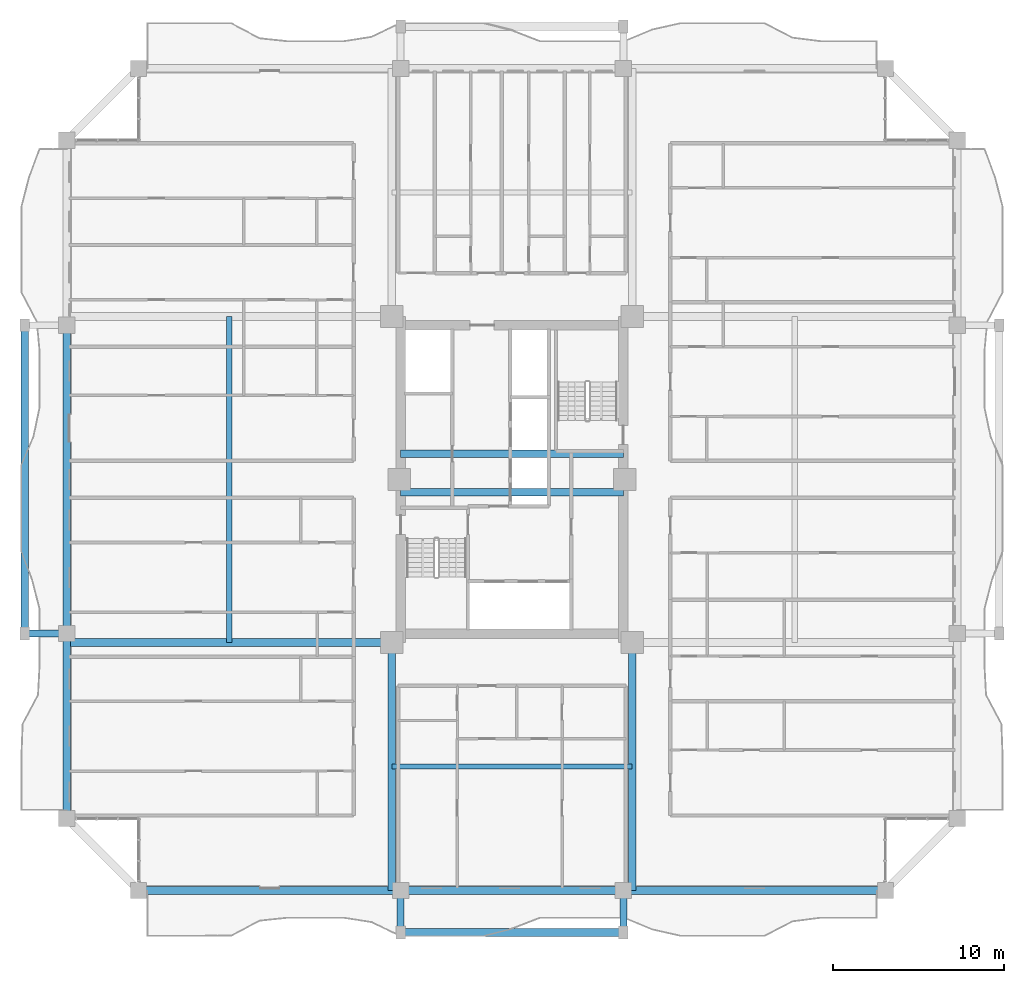
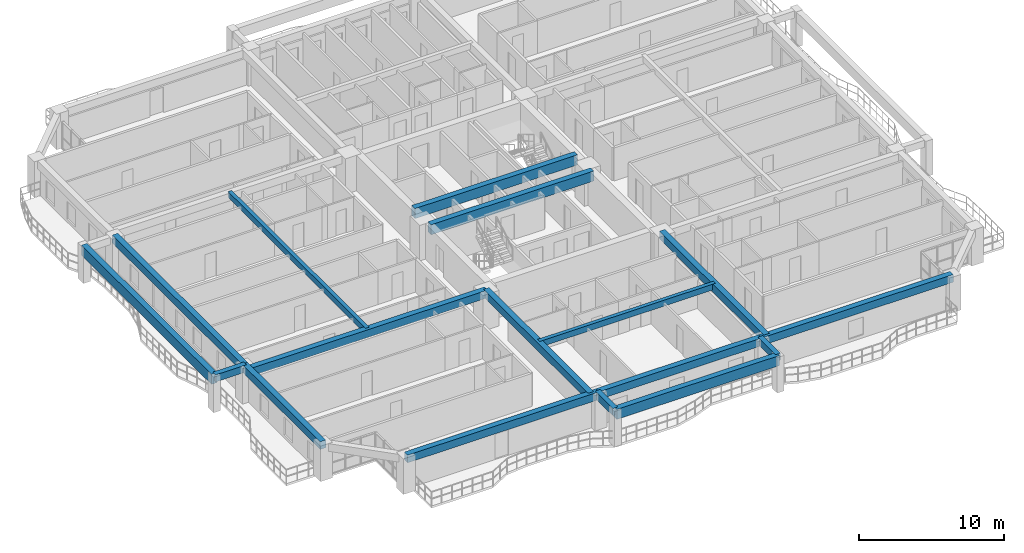
# One storey, part 3 of 26: 17 beams.
"""IFC4 building model written with IfcOpenShell, lengths in metres."""

from ifc_helpers import new_model, si_unit, direction, frame, origin, origin_2d, place, context, subcontext, project, spatial, rectangle, extrude, source, transform, mapped, material, material_profile, profile_set, type_object, element, save


model = new_model("IFC4")

# Units and contexts
model_context = context("Model", 3, precision=1e-05, world=origin(), true_north=direction((0.0, 1.0)))
body_context = subcontext(model_context, "Body", "Model", "MODEL_VIEW")
ifc_project = project(units=[si_unit("LENGTHUNIT", "METRE"), si_unit("AREAUNIT", "SQUARE_METRE"), si_unit("VOLUMEUNIT", "CUBIC_METRE"), si_unit("PLANEANGLEUNIT", "RADIAN"), si_unit("MASSUNIT", "GRAM", prefix="KILO")], contexts=[model_context])

# Site, building, storey
site_placement = place(None, origin())
site = spatial("IfcSite", under=ifc_project, at=site_placement, CompositionType="ELEMENT")
building_placement = place(site_placement, origin())
building = spatial("IfcBuilding", under=site, at=building_placement, Name="Saelheon Loggia Tower", CompositionType="ELEMENT")
storey_placement = place(building_placement, frame((0.0, 0.0, 116.85009765625)))
storey = spatial("IfcBuildingStorey", under=building, at=storey_placement, Name="L37", CompositionType="ELEMENT", Elevation=116.85009765625)

# Beams
ifc_material_1 = material(Name="Concrete C50/60", Category="concrete")
ifc_material_profile_1 = material_profile(ifc_material_1, rectangle(XDim=0.449951171875, YDim=0.85009765625, at=origin_2d()), Name="RC-450x850")
ifc_profile_set_1 = profile_set([ifc_material_profile_1], Name="Concrete C50/60")
beam_type_1 = type_object("IfcBeamType", Name="Beam_CoreLintel_RC450x850", PredefinedType="LINTEL", material=ifc_profile_set_1)
shared_shape_1 = source(origin(), body_context, "Body", "SweptSolid", [
    extrude(rectangle(XDim=0.449951171875, YDim=0.85009765625, at=origin_2d()), origin(), (0.0, 0.0, 1.0), 13.0),
])
for number, where, z_axis, x_axis, name in (
    (1, (31.5, 26.25, 2.574951171875), (1.0, 0.0, 0.0), (0.0, 1.0, 0.0), "L37 Core Coupling Lintel 1"),
    (2, (31.5, 28.5, 2.574951171875), (1.0, 0.0, 0.0), (0.0, 1.0, 0.0), "L37 Core Coupling Lintel 2"),
):
    element("IfcBeam", number, at=place(storey_placement, frame(where, z_axis=z_axis, x_axis=x_axis)), inside=storey, type_object=beam_type_1, Name=name, PredefinedType="LINTEL", context=body_context, shape_type="MappedRepresentation", body=[
        mapped(shared_shape_1, transform((0.0, 0.0, 0.0), scale=1.0)),
    ])
ifc_material_2 = material(Name="Precast Concrete C45/55", Category="concrete")
ifc_material_profile_2 = material_profile(ifc_material_2, rectangle(XDim=0.449951171875, YDim=0.85009765625, at=origin_2d()), Name="RC-450x850")
ifc_profile_set_2 = profile_set([ifc_material_profile_2], Name="Precast Concrete C45/55")
beam_type_2 = type_object("IfcBeamType", Name="Beam_LoggiaSpandrel_RC450x850", PredefinedType="SPANDREL", material=ifc_profile_set_2)
beam_1_placement = place(storey_placement, frame((31.5, 0.550048828125, 2.574951171875), z_axis=(1.0, 0.0, 0.0), x_axis=(0.0, 1.0, 0.0)))
element("IfcBeam", 3, at=beam_1_placement, inside=storey, type_object=beam_type_2, Name="L37 Loggia Spandrel Beam S", PredefinedType="SPANDREL", context=body_context, shape_type="MappedRepresentation", body=[
    mapped(shared_shape_1, transform((0.0, 0.0, 0.0), scale=1.0)),
])
ifc_material_profile_3 = material_profile(ifc_material_2, rectangle(XDim=0.39990234375, YDim=0.60009765625, at=origin_2d()), Name="RC-400x600")
ifc_profile_set_3 = profile_set([ifc_material_profile_3], Name="Precast Concrete C45/55")
beam_type_3 = type_object("IfcBeamType", Name="Beam_LoggiaTie_RC400x600", PredefinedType="BEAM", material=ifc_profile_set_3)
shared_shape_2 = source(origin(), body_context, "Body", "SweptSolid", [
    extrude(rectangle(XDim=0.39990234375, YDim=0.60009765625, at=origin_2d()), origin(), (0.0, 0.0, 1.0), 2.449951171875),
])
for number, where, z_axis, x_axis, name in (
    (4, (31.5, 3.0, 2.699951171875), (0.0, -1.0, 0.0), (1.0, 0.0, 0.0), "L37 Loggia Frame Tie Beam LP-S1"),
    (5, (44.5, 3.0, 2.699951171875), (0.0, -1.0, 0.0), (1.0, 0.0, 0.0), "L37 Loggia Frame Tie Beam LP-S2"),
    (6, (12.0, 18.0, 2.699951171875), (-1.0, 0.0, 0.0), (0.0, -1.0, 0.0), "L37 Loggia Frame Tie Beam LP-W1"),
):
    element("IfcBeam", number, at=place(storey_placement, frame(where, z_axis=z_axis, x_axis=x_axis)), inside=storey, type_object=beam_type_3, Name=name, PredefinedType="BEAM", context=body_context, shape_type="MappedRepresentation", body=[
        mapped(shared_shape_2, transform((0.0, 0.0, 0.0), scale=1.0)),
    ])
shared_shape_3 = source(origin(), body_context, "Body", "SweptSolid", [
    extrude(rectangle(XDim=0.449951171875, YDim=0.85009765625, at=origin_2d()), origin(), (0.0, 0.0, 1.0), 18.0),
])
beam_2_placement = place(storey_placement, frame((9.550048828125, 18.0, 2.574951171875), z_axis=(0.0, 1.0, 0.0), x_axis=(-1.0, 0.0, 0.0)))
element("IfcBeam", 7, at=beam_2_placement, inside=storey, type_object=beam_type_2, Name="L37 Loggia Spandrel Beam W", PredefinedType="SPANDREL", context=body_context, shape_type="MappedRepresentation", body=[
    mapped(shared_shape_3, transform((0.0, 0.0, 0.0), scale=1.0)),
])
ifc_material_3 = material(Name="Concrete C40/50", Category="concrete")
ifc_material_profile_4 = material_profile(ifc_material_3, rectangle(XDim=0.449951171875, YDim=0.64990234375, at=origin_2d()), Name="RC-450x650")
ifc_profile_set_4 = profile_set([ifc_material_profile_4], Name="Concrete C40/50")
beam_type_4 = type_object("IfcBeamType", Name="Beam_PerimTower_RC450x650", PredefinedType="BEAM", material=ifc_profile_set_4)
shared_shape_4 = source(origin(), body_context, "Body", "SweptSolid", [
    extrude(rectangle(XDim=0.449951171875, YDim=0.64990234375, at=origin_2d()), origin(), (0.0, 0.0, 1.0), 15.300048828125),
])
for number, where, z_axis, x_axis, name in (
    (8, (16.199951171875, 3.0, 2.6748046875), (1.0, 0.0, 0.0), (0.0, 1.0, 0.0), "L37 Perimeter Frame Girder 01"),
    (9, (44.5, 3.0, 2.6748046875), (1.0, 0.0, 0.0), (0.0, 1.0, 0.0), "L37 Perimeter Frame Girder 03"),
):
    element("IfcBeam", number, at=place(storey_placement, frame(where, z_axis=z_axis, x_axis=x_axis)), inside=storey, type_object=beam_type_4, Name=name, PredefinedType="BEAM", context=body_context, shape_type="MappedRepresentation", body=[
        mapped(shared_shape_4, transform((0.0, 0.0, 0.0), scale=1.0)),
    ])
shared_shape_5 = source(origin(), body_context, "Body", "SweptSolid", [
    extrude(rectangle(XDim=0.449951171875, YDim=0.64990234375, at=origin_2d()), origin(), (0.0, 0.0, 1.0), 13.0),
])
beam_3_placement = place(storey_placement, frame((31.5, 3.0, 2.6748046875), z_axis=(1.0, 0.0, 0.0), x_axis=(0.0, 1.0, 0.0)))
element("IfcBeam", 10, at=beam_3_placement, inside=storey, type_object=beam_type_4, Name="L37 Perimeter Frame Girder 02", PredefinedType="BEAM", context=body_context, shape_type="MappedRepresentation", body=[
    mapped(shared_shape_5, transform((0.0, 0.0, 0.0), scale=1.0)),
])
shared_shape_6 = source(origin(), body_context, "Body", "SweptSolid", [
    extrude(rectangle(XDim=0.449951171875, YDim=0.64990234375, at=origin_2d()), origin(), (0.0, 0.0, 1.0), 10.800048828125),
])
beam_4_placement = place(storey_placement, frame((12.0, 18.0, 2.6748046875), z_axis=(0.0, -1.0, 0.0), x_axis=(1.0, 0.0, 0.0)))
element("IfcBeam", 11, at=beam_4_placement, inside=storey, type_object=beam_type_4, Name="L37 Perimeter Frame Girder 15", PredefinedType="BEAM", context=body_context, shape_type="MappedRepresentation", body=[
    mapped(shared_shape_6, transform((0.0, 0.0, 0.0), scale=1.0)),
])
shared_shape_7 = source(origin(), body_context, "Body", "SweptSolid", [
    extrude(rectangle(XDim=0.449951171875, YDim=0.64990234375, at=origin_2d()), origin(), (0.0, 0.0, 1.0), 18.0),
])
beam_5_placement = place(storey_placement, frame((12.0, 36.0, 2.6748046875), z_axis=(0.0, -1.0, 0.0), x_axis=(1.0, 0.0, 0.0)))
element("IfcBeam", 12, at=beam_5_placement, inside=storey, type_object=beam_type_4, Name="L37 Perimeter Frame Girder 14", PredefinedType="BEAM", context=body_context, shape_type="MappedRepresentation", body=[
    mapped(shared_shape_7, transform((0.0, 0.0, 0.0), scale=1.0)),
])
ifc_material_profile_5 = material_profile(ifc_material_3, rectangle(XDim=0.449951171875, YDim=0.64990234375, at=origin_2d()), Name="RC-450x650")
ifc_profile_set_5 = profile_set([ifc_material_profile_5], Name="Concrete C40/50")
beam_type_5 = type_object("IfcBeamType", Name="Beam_TowerGirder_RC450x650", PredefinedType="BEAM", material=ifc_profile_set_5)
shared_shape_8 = source(origin(), body_context, "Body", "SweptSolid", [
    extrude(rectangle(XDim=0.449951171875, YDim=0.64990234375, at=origin_2d()), origin(), (0.0, 0.0, 1.0), 14.47998046875),
])
for number, where, z_axis, x_axis, name in (
    (13, (30.97998046875, 17.47998046875, 2.6748046875), (0.0, -1.0, 0.0), (1.0, 0.0, 0.0), "L37 Radial Floor Girder RAD-SW-S"),
    (14, (45.02001953125, 17.47998046875, 2.6748046875), (0.0, -1.0, 0.0), (1.0, 0.0, 0.0), "L37 Radial Floor Girder RAD-SE-S"),
):
    element("IfcBeam", number, at=place(storey_placement, frame(where, z_axis=z_axis, x_axis=x_axis)), inside=storey, type_object=beam_type_5, Name=name, PredefinedType="BEAM", context=body_context, shape_type="MappedRepresentation", body=[
        mapped(shared_shape_8, transform((0.0, 0.0, 0.0), scale=1.0)),
    ])
shared_shape_9 = source(origin(), body_context, "Body", "SweptSolid", [
    extrude(rectangle(XDim=0.449951171875, YDim=0.64990234375, at=origin_2d()), origin(), (0.0, 0.0, 1.0), 18.97998046875),
])
beam_6_placement = place(storey_placement, frame((30.97998046875, 17.47998046875, 2.6748046875), z_axis=(-1.0, 0.0, 0.0), x_axis=(0.0, -1.0, 0.0)))
element("IfcBeam", 15, at=beam_6_placement, inside=storey, type_object=beam_type_5, Name="L37 Radial Floor Girder RAD-SW-W", PredefinedType="BEAM", context=body_context, shape_type="MappedRepresentation", body=[
    mapped(shared_shape_9, transform((0.0, 0.0, 0.0), scale=1.0)),
])
ifc_material_profile_6 = material_profile(ifc_material_3, rectangle(XDim=0.300048828125, YDim=0.5, at=origin_2d()), Name="RC-300x500")
ifc_profile_set_6 = profile_set([ifc_material_profile_6], Name="Concrete C40/50")
beam_type_6 = type_object("IfcBeamType", Name="Beam_Joist_RC300x500", PredefinedType="JOIST", material=ifc_profile_set_6)
shared_shape_10 = source(origin(), body_context, "Body", "SweptSolid", [
    extrude(rectangle(XDim=0.300048828125, YDim=0.5, at=origin_2d()), origin(), (0.0, 0.0, 1.0), 14.0400390625),
])
beam_7_placement = place(storey_placement, frame((30.97998046875, 10.239990234375, 2.75), z_axis=(1.0, 0.0, 0.0), x_axis=(0.0, 1.0, 0.0)))
element("IfcBeam", 16, at=beam_7_placement, inside=storey, type_object=beam_type_6, Name="L37 South Floor Joist", PredefinedType="JOIST", context=body_context, shape_type="MappedRepresentation", body=[
    mapped(shared_shape_10, transform((0.0, 0.0, 0.0), scale=1.0)),
])
shared_shape_11 = source(origin(), body_context, "Body", "SweptSolid", [
    extrude(rectangle(XDim=0.300048828125, YDim=0.5, at=origin_2d()), origin(), (0.0, 0.0, 1.0), 19.0400390625),
])
beam_8_placement = place(storey_placement, frame((21.489990234375, 17.47998046875, 2.75), z_axis=(0.0, 1.0, 0.0), x_axis=(-1.0, 0.0, 0.0)))
element("IfcBeam", 17, at=beam_8_placement, inside=storey, type_object=beam_type_6, Name="L37 West Floor Joist", PredefinedType="JOIST", context=body_context, shape_type="MappedRepresentation", body=[
    mapped(shared_shape_11, transform((0.0, 0.0, 0.0), scale=1.0)),
])

save(model, "model.ifc")
